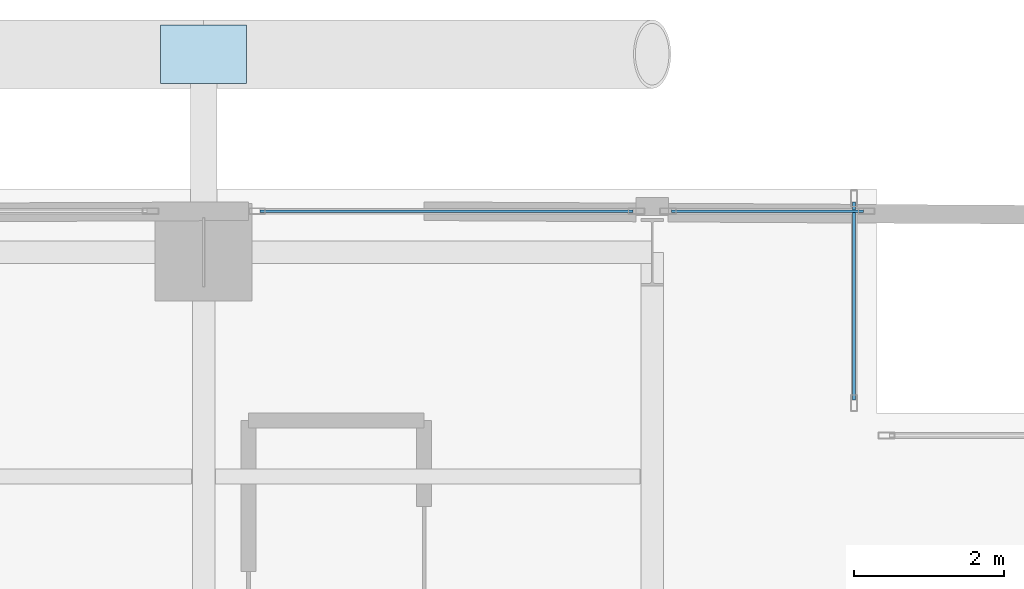
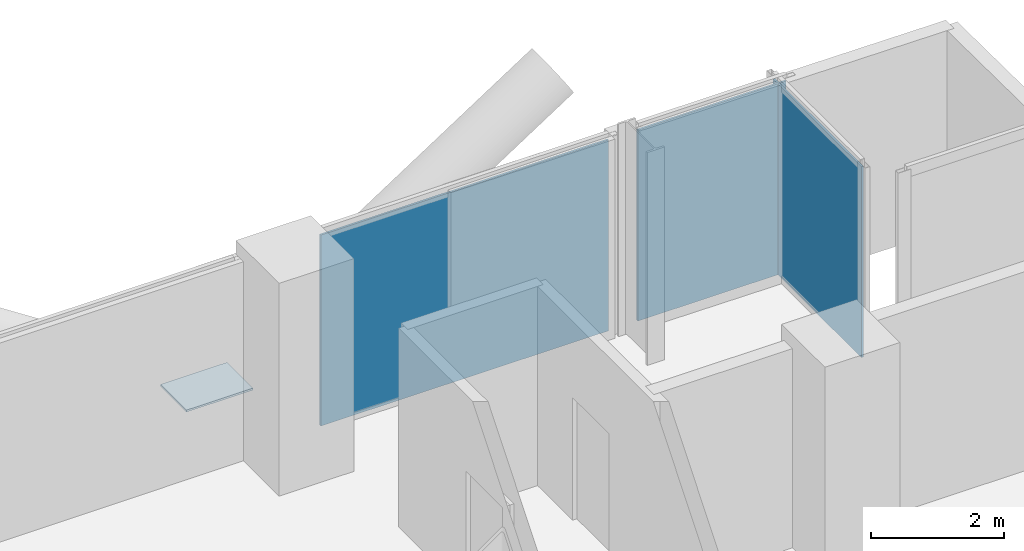
# One storey, part 18 of 25: 4 plates, 3 elements without a shape of their own.
"""IFC4 building model written with IfcOpenShell, lengths in metres."""

from ifc_helpers import new_model, si_unit, direction, frame, origin, origin_2d, place, context, subcontext, project, spatial, rectangle, extrude, material, layer, layer_set, type_object, element, aggregate, save


model = new_model("IFC4")

# Units and contexts
model_context = context("Model", 3, precision=1e-05, world=origin(), true_north=direction((0.0, 1.0)))
body_context = subcontext(model_context, "Body", "Model", "MODEL_VIEW")
ifc_project = project(units=[si_unit("LENGTHUNIT", "METRE"), si_unit("AREAUNIT", "SQUARE_METRE"), si_unit("VOLUMEUNIT", "CUBIC_METRE"), si_unit("PLANEANGLEUNIT", "RADIAN"), si_unit("MASSUNIT", "GRAM", prefix="KILO"), si_unit("THERMODYNAMICTEMPERATUREUNIT", "KELVIN"), si_unit("POWERUNIT", "WATT")], contexts=[model_context])

# Site, building, storey
site_placement = place(None, origin())
site = spatial("IfcSite", under=ifc_project, at=site_placement, CompositionType="ELEMENT")
building_placement = place(site_placement, origin())
building = spatial("IfcBuilding", under=site, at=building_placement, Name="Svarakhadi Broadcast Tower", CompositionType="ELEMENT")
storey_placement = place(building_placement, frame((0.0, 0.0, 83.10009765625)))
storey = spatial("IfcBuildingStorey", under=building, at=storey_placement, Name="L19", CompositionType="ELEMENT", Elevation=83.10009765625)

# Curtain wall, plate
ifc_material_1 = material(Name="Anodised Bronze Aluminium AA 6063-T6", Category="aluminium")
ifc_layer_1 = layer(ifc_material_1, 0.219970703125)
ifc_layer_set_1 = layer_set([ifc_layer_1], Name="Anodised Bronze Aluminium AA 6063-T6")
curtain_wall_type = type_object("IfcCurtainWallType", Name="CW_Sys_02", PredefinedType="NOTDEFINED", material=ifc_layer_set_1)
curtain_wall_1_placement = place(storey_placement, origin())
curtain_wall_1 = element("IfcCurtainWall", 1, at=curtain_wall_1_placement, inside=storey, type_object=curtain_wall_type, Name="L19 Unitised Facade Curtain Wall 06 Bay 3", PredefinedType="NOTDEFINED")
ifc_material_2 = material(Name="Double Low-E Laminated Acoustic Glass IGU 36 mm", Category="glass")
ifc_layer_2 = layer(ifc_material_2, 0.035888671875)
ifc_layer_set_2 = layer_set([ifc_layer_2], Name="Double Low-E Laminated Acoustic Glass IGU 36 mm")
plate_type_1 = type_object("IfcPlateType", Name="CW_Sys_02_Pnl", PredefinedType="CURTAIN_PANEL", material=ifc_layer_set_2)
plate_1_placement = place(storey_placement, frame((15.25, 47.699951171875, 0.074951171875), z_axis=(0.0, 0.0, 1.0), x_axis=(1.0, 0.0, 0.0)))
plate_1 = element("IfcPlate", 2, at=plate_1_placement, type_object=plate_type_1, Name="CW-02 panel 1.1", PredefinedType="CURTAIN_PANEL", context=body_context, shape_type="SweptSolid", body=[
    extrude(rectangle(XDim=4.989990234375, YDim=0.035888671875, at=origin_2d()), origin(), (0.0, 0.0, 1.0), 3.5),
])
aggregate(curtain_wall_1, [plate_1])

curtain_wall_2_placement = place(storey_placement, origin())
curtain_wall_2 = element("IfcCurtainWall", 3, at=curtain_wall_2_placement, inside=storey, type_object=curtain_wall_type, Name="L19 Unitised Facade Curtain Wall 06 Bay 4", PredefinedType="NOTDEFINED")
plate_2_placement = place(storey_placement, frame((19.5400390625, 47.699951171875, 0.074951171875), z_axis=(0.0, 0.0, 1.0), x_axis=(1.0, 0.0, 0.0)))
plate_2 = element("IfcPlate", 4, at=plate_2_placement, type_object=plate_type_1, Name="CW-02 panel 1.1", PredefinedType="CURTAIN_PANEL", context=body_context, shape_type="SweptSolid", body=[
    extrude(rectangle(XDim=2.570068359375, YDim=0.035888671875, at=origin_2d()), origin(), (0.0, 0.0, 1.0), 3.5),
])
aggregate(curtain_wall_2, [plate_2])

curtain_wall_3_placement = place(storey_placement, origin())
curtain_wall_3 = element("IfcCurtainWall", 5, at=curtain_wall_3_placement, inside=storey, type_object=curtain_wall_type, Name="L19 Unitised Facade Curtain Wall 07", PredefinedType="NOTDEFINED")
plate_3_placement = place(storey_placement, frame((20.699951171875, 46.5, 0.074951171875), z_axis=(0.0, 0.0, 1.0), x_axis=(0.0, -1.0, 0.0)))
plate_3 = element("IfcPlate", 6, at=plate_3_placement, type_object=plate_type_1, Name="CW-02 panel 1.1", PredefinedType="CURTAIN_PANEL", context=body_context, shape_type="SweptSolid", body=[
    extrude(rectangle(XDim=2.64990234375, YDim=0.035888671875, at=origin_2d()), origin(), (0.0, 0.0, 1.0), 3.5),
])
aggregate(curtain_wall_3, [plate_3])

# Plate
ifc_material_3 = material(Name="Steel S460ML (IS 2062 E450BR)", Category="steel")
ifc_layer_3 = layer(ifc_material_3, 0.035888671875)
ifc_layer_set_3 = layer_set([ifc_layer_3], Name="Steel S460ML (IS 2062 E450BR)")
plate_type_2 = type_object("IfcPlateType", Name="Node_Gusset_N01", PredefinedType="SHEET", material=ifc_layer_set_3)
plate_4_placement = place(storey_placement, frame((12.0, 49.800048828125, -0.25), z_axis=(0.0, 0.0, 1.0), x_axis=(1.0, 0.0, 0.0)))
element("IfcPlate", 7, at=plate_4_placement, inside=storey, type_object=plate_type_2, Name="L19 Exoskeleton Gusset Node Plate N07", PredefinedType="SHEET", context=body_context, shape_type="SweptSolid", body=[
    extrude(rectangle(XDim=1.14990234375, YDim=0.780029296875, at=origin_2d()), origin(), (0.0, 0.0, 1.0), 0.035888671875),
])

save(model, "model.ifc")
